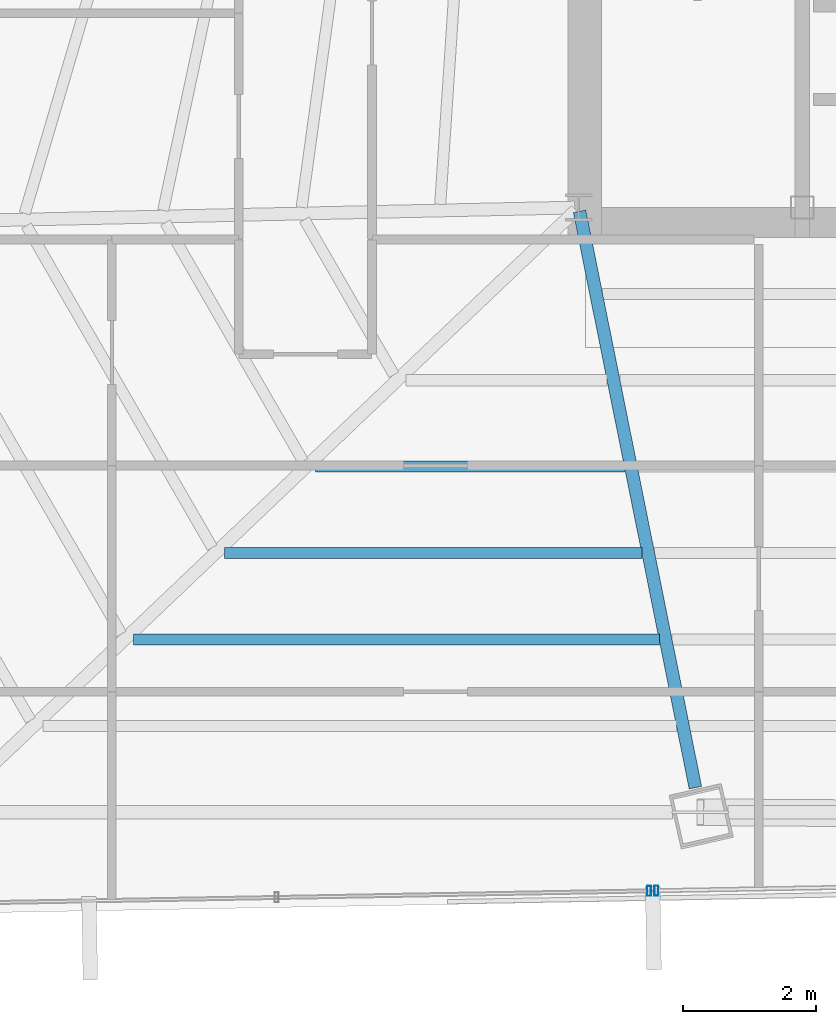
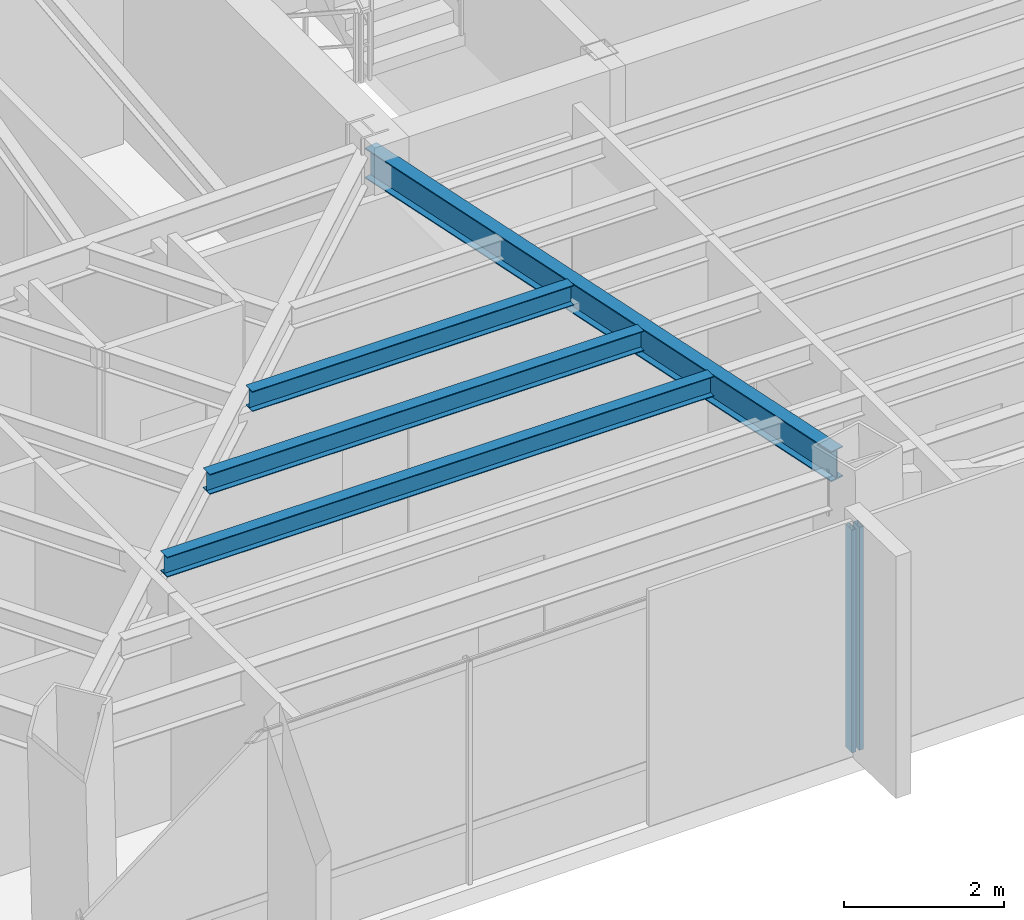
# One storey, part 11 of 42: 4 beams, 2 members, 2 elements without a shape of their own.
"""IFC4 building model written with IfcOpenShell, lengths in metres."""

from ifc_helpers import new_model, si_unit, direction, frame, origin, origin_2d, place, context, subcontext, project, spatial, hollow_rectangle, i_section, extrude, source, transform, mapped, material, material_profile, profile_set, type_object, type_shapes, element, aggregate, save


model = new_model("IFC4")

# Units and contexts
model_context = context("Model", 3, precision=1e-05, world=origin(), true_north=direction((0.0, 1.0)))
body_context = subcontext(model_context, "Body", "Model", "MODEL_VIEW")
ifc_project = project(units=[si_unit("LENGTHUNIT", "METRE"), si_unit("AREAUNIT", "SQUARE_METRE"), si_unit("VOLUMEUNIT", "CUBIC_METRE"), si_unit("PLANEANGLEUNIT", "RADIAN"), si_unit("MASSUNIT", "GRAM", prefix="KILO")], contexts=[model_context])

# Site, building, storey
site_placement = place(None, origin())
site = spatial("IfcSite", under=ifc_project, at=site_placement, CompositionType="ELEMENT")
building_placement = place(site_placement, origin())
building = spatial("IfcBuilding", under=site, at=building_placement, Name="Caelisora Broadcast Tower", CompositionType="ELEMENT")
storey_placement = place(building_placement, frame((0.0, 0.0, 202.300048828125)))
storey = spatial("IfcBuildingStorey", under=building, at=storey_placement, Name="L53", CompositionType="ELEMENT", Elevation=202.300048828125)

# Beams
ifc_material_1 = material(Name="Steel Grade 350 (AS/NZS 3679.1)", Category="steel")
ifc_material_profile_1 = material_profile(ifc_material_1, i_section(OverallWidth=0.19091796875, OverallDepth=0.46044921875, WebThickness=0.010009765625, FlangeThickness=0.01611328125, at=origin_2d()), Name="Steel Grade 350 (AS/NZS 3679.1)")
ifc_profile_set_1 = profile_set([ifc_material_profile_1], Name="Steel Grade 350 (AS/NZS 3679.1)")
beam_type_1 = type_object("IfcBeamType", Name="PG06", PredefinedType="BEAM", material=ifc_profile_set_1)
shared_shape_1 = source(origin(), body_context, "Body", "SweptSolid", [
    extrude(i_section(OverallWidth=0.19091796875, OverallDepth=0.46044921875, WebThickness=0.010009765625, FlangeThickness=0.01611328125, at=origin_2d()), origin(), (0.0, 0.0, 1.0), 8.812744140625),
])
type_shapes(beam_type_1, [shared_shape_1])
beam_1_placement = place(storey_placement, frame((30.51171875, 17.34130859375, 3.169677734375), z_axis=(0.196995089628, -0.980404475032, 0.0), x_axis=(0.980404475032, 0.196995089628, 0.0)))
element("IfcBeam", 1, at=beam_1_placement, inside=storey, type_object=beam_type_1, Name="L53 beam PG06", PredefinedType="BEAM", context=body_context, shape_type="MappedRepresentation", body=[
    mapped(shared_shape_1, transform((0.0, 0.0, 0.0), scale=1.0)),
])
ifc_material_profile_2 = material_profile(ifc_material_1, i_section(OverallWidth=0.166015625, OverallDepth=0.30712890625, WebThickness=0.006591796875, FlangeThickness=0.01171875, at=origin_2d()), Name="Steel Grade 350 (AS/NZS 3679.1)")
ifc_profile_set_2 = profile_set([ifc_material_profile_2], Name="Steel Grade 350 (AS/NZS 3679.1)")
beam_type_2 = type_object("IfcBeamType", Name="SB03", PredefinedType="JOIST", material=ifc_profile_set_2)
shared_shape_2 = source(origin(), body_context, "Body", "SweptSolid", [
    extrude(i_section(OverallWidth=0.166015625, OverallDepth=0.30712890625, WebThickness=0.006591796875, FlangeThickness=0.01171875, at=origin_2d()), origin(), (0.0, 0.0, 1.0), 4.636962890625),
])
beam_2_placement = place(storey_placement, frame((26.54931640625, 13.513916015625, 3.246337890625), z_axis=(1.0, 0.0, 0.0), x_axis=(0.0, 1.0, 0.0)))
element("IfcBeam", 2, at=beam_2_placement, inside=storey, type_object=beam_type_2, Name="L53 beam SB03", PredefinedType="JOIST", context=body_context, shape_type="MappedRepresentation", body=[
    mapped(shared_shape_2, transform((0.0, 0.0, 0.0), scale=1.0)),
])
shared_shape_3 = source(origin(), body_context, "Body", "SweptSolid", [
    extrude(i_section(OverallWidth=0.166015625, OverallDepth=0.30712890625, WebThickness=0.006591796875, FlangeThickness=0.01171875, at=origin_2d()), origin(), (0.0, 0.0, 1.0), 6.25927734375),
])
beam_3_placement = place(storey_placement, frame((25.1875, 12.218505859375, 3.246337890625), z_axis=(1.0, 0.0, 0.0), x_axis=(0.0, 1.0, 0.0)))
element("IfcBeam", 3, at=beam_3_placement, inside=storey, type_object=beam_type_2, Name="L53 beam SB03", PredefinedType="JOIST", context=body_context, shape_type="MappedRepresentation", body=[
    mapped(shared_shape_3, transform((0.0, 0.0, 0.0), scale=1.0)),
])
shared_shape_4 = source(origin(), body_context, "Body", "SweptSolid", [
    extrude(i_section(OverallWidth=0.166015625, OverallDepth=0.30712890625, WebThickness=0.006591796875, FlangeThickness=0.01171875, at=origin_2d()), origin(), (0.0, 0.0, 1.0), 7.8818359375),
])
type_shapes(beam_type_2, [shared_shape_2, shared_shape_3, shared_shape_4])
beam_4_placement = place(storey_placement, frame((23.8251953125, 10.92333984375, 3.246337890625), z_axis=(1.0, 0.0, 0.0), x_axis=(0.0, 1.0, 0.0)))
element("IfcBeam", 4, at=beam_4_placement, inside=storey, type_object=beam_type_2, Name="L53 beam SB03", PredefinedType="JOIST", context=body_context, shape_type="MappedRepresentation", body=[
    mapped(shared_shape_4, transform((0.0, 0.0, 0.0), scale=1.0)),
])

# Curtain wall, member
ifc_material_2 = material(Name="Unitised Aluminium Insulated Shadow-Box Spandrel Curtain Wall", Category="aluminium")
curtain_wall_type_1 = type_object("IfcCurtainWallType", Name="CW-SP2", PredefinedType="NOTDEFINED", material=ifc_material_2)
curtain_wall_1_placement = place(storey_placement, origin())
curtain_wall_1 = element("IfcCurtainWall", 5, at=curtain_wall_1_placement, inside=storey, type_object=curtain_wall_type_1, Name="L53 curtain wall CW-SP2", PredefinedType="NOTDEFINED")
ifc_material_3 = material(Name="Aluminium 6063-T6 Anodised Terracotta Bronze", Category="aluminium")
ifc_material_profile_3 = material_profile(ifc_material_3, hollow_rectangle(XDim=0.06005859375, YDim=0.14990234375, WallThickness=0.00341796875, at=origin_2d()), Name="Aluminium 6063-T6 Anodised Terracotta Bronze")
ifc_profile_set_3 = profile_set([ifc_material_profile_3], Name="Aluminium 6063-T6 Anodised Terracotta Bronze")
member_type = type_object("IfcMemberType", Name="CWM-03", PredefinedType="MULLION", material=ifc_profile_set_3)
shared_shape_5 = source(origin(), body_context, "Body", "SweptSolid", [
    extrude(hollow_rectangle(XDim=0.06005859375, YDim=0.14990234375, WallThickness=0.00341796875, at=origin_2d()), origin(), (0.0, 0.0, 1.0), 3.39990234375),
])
type_shapes(member_type, [shared_shape_5])
member_1_placement = place(storey_placement, frame((31.662841796875, 7.156005859375, 0.0), z_axis=(0.0, 0.0, 1.0), x_axis=(1.0, 0.0, 0.0)))
member_1 = element("IfcMember", 6, at=member_1_placement, type_object=member_type, Name="L53-CW-B06 mullion #3", PredefinedType="MULLION", context=body_context, shape_type="MappedRepresentation", body=[
    mapped(shared_shape_5, transform((0.0, 0.0, 0.0), scale=1.0)),
])
aggregate(curtain_wall_1, [member_1])

ifc_material_4 = material(Name="Unitised Aluminium and Low-E Glass Curtain Wall", Category="glass")
curtain_wall_type_2 = type_object("IfcCurtainWallType", Name="CW-Z4", PredefinedType="NOTDEFINED", material=ifc_material_4)
curtain_wall_2_placement = place(storey_placement, origin())
curtain_wall_2 = element("IfcCurtainWall", 7, at=curtain_wall_2_placement, inside=storey, type_object=curtain_wall_type_2, Name="L53 curtain wall CW-Z4", PredefinedType="NOTDEFINED")
member_2_placement = place(storey_placement, frame((31.552978515625, 7.154052734375, 0.0), z_axis=(0.0, 0.0, 1.0), x_axis=(1.0, 0.0, 0.0)))
member_2 = element("IfcMember", 8, at=member_2_placement, type_object=member_type, Name="L53-CW-B07 mullion #0", PredefinedType="MULLION", context=body_context, shape_type="MappedRepresentation", body=[
    mapped(shared_shape_5, transform((0.0, 0.0, 0.0), scale=1.0)),
])
aggregate(curtain_wall_2, [member_2])

save(model, "model.ifc")
